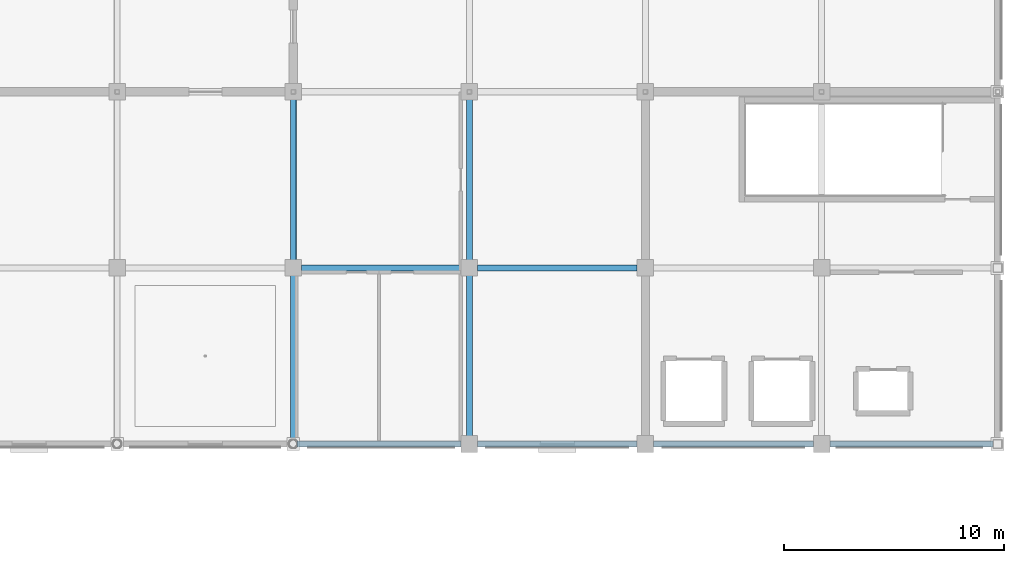
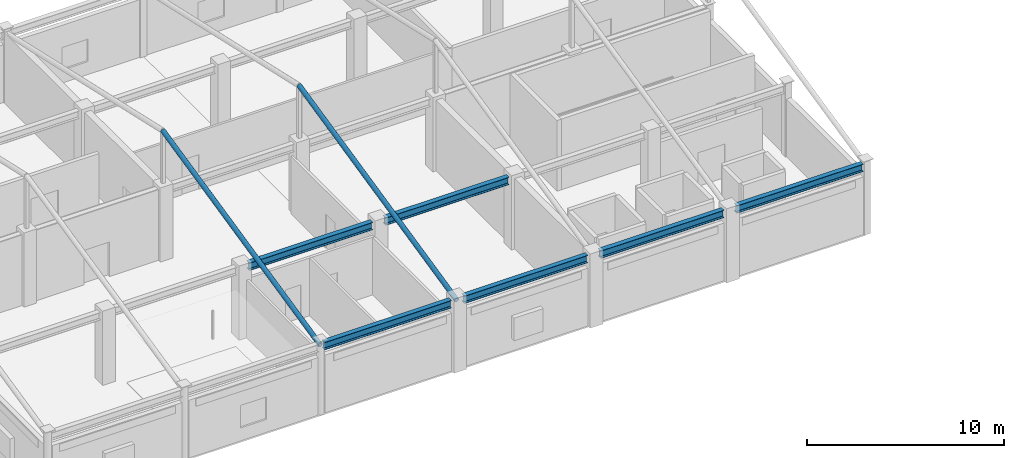
# One storey, part 6 of 16: 6 beams, 2 members.
"""IFC4 building model written with IfcOpenShell, lengths in metres."""

from ifc_helpers import new_model, si_unit, direction, frame, origin, origin_2d, place, context, subcontext, project, spatial, hollow_circle, i_section, extrude, material, material_profile, profile_set, type_object, element, save


model = new_model("IFC4")

# Units and contexts
model_context = context("Model", 3, precision=1e-05, world=origin(), true_north=direction((0.0, 1.0)))
body_context = subcontext(model_context, "Body", "Model", "MODEL_VIEW")
ifc_project = project(units=[si_unit("LENGTHUNIT", "METRE"), si_unit("AREAUNIT", "SQUARE_METRE"), si_unit("VOLUMEUNIT", "CUBIC_METRE"), si_unit("PLANEANGLEUNIT", "RADIAN"), si_unit("MASSUNIT", "GRAM", prefix="KILO")], contexts=[model_context])

# Site, building, storey
site_placement = place(None, origin())
site = spatial("IfcSite", under=ifc_project, at=site_placement, CompositionType="ELEMENT")
building_placement = place(site_placement, origin())
building = spatial("IfcBuilding", under=site, at=building_placement, Name="Solmirada Galleria", CompositionType="ELEMENT")
storey_placement = place(building_placement, frame((0.0, 0.0, 32.89990234375)))
storey = spatial("IfcBuildingStorey", under=building, at=storey_placement, Name="L07", CompositionType="ELEMENT", Elevation=32.89990234375)

# Beams
ifc_material_1 = material(Name="Steel S355 / ASTM A992 Grade 50", Category="steel")
ifc_material_profile_1 = material_profile(ifc_material_1, i_section(OverallWidth=0.281982421875, OverallDepth=0.467041015625, WebThickness=0.01220703125, FlangeThickness=0.01953125, FilletRadius=0.013916015625, at=origin_2d()), Name="W18X86")
ifc_profile_set_1 = profile_set([ifc_material_profile_1], Name="Steel S355 / ASTM A992 Grade 50")
beam_type = type_object("IfcBeamType", Name="BM-GIRD-W18A", PredefinedType="BEAM", material=ifc_profile_set_1)
beam_1_placement = place(storey_placement, frame((144.17041015625, 88.0, 4.150146484375), z_axis=(1.0, 0.0, 0.0), x_axis=(0.0, 1.0, 0.0)))
element("IfcBeam", 1, at=beam_1_placement, inside=storey, type_object=beam_type, Name="NE roof tie girder X=144..152", PredefinedType="BEAM", context=body_context, shape_type="SweptSolid", body=[
    extrude(i_section(OverallWidth=0.281982421875, OverallDepth=0.467041015625, WebThickness=0.01220703125, FlangeThickness=0.01953125, FilletRadius=0.013916015625, at=origin_2d()), origin(), (0.0, 0.0, 1.0), 7.45458984375),
])
for number, where, z_axis, x_axis, name in (
    (2, (144.375, 96.0, 4.150146484375), (1.0, 0.0, 0.0), (0.0, 1.0, 0.0), "NE roof tie girder X=144..152"),
    (3, (152.375, 88.0, 4.150146484375), (1.0, 0.0, 0.0), (0.0, 1.0, 0.0), "NE roof tie girder X=152..160"),
    (4, (152.375, 96.0, 4.150146484375), (1.0, 0.0, 0.0), (0.0, 1.0, 0.0), "NE roof tie girder X=152..160"),
    (5, (160.375, 88.0, 4.150146484375), (1.0, 0.0, 0.0), (0.0, 1.0, 0.0), "NE roof tie girder X=160..168"),
):
    element("IfcBeam", number, at=place(storey_placement, frame(where, z_axis=z_axis, x_axis=x_axis)), inside=storey, type_object=beam_type, Name=name, PredefinedType="BEAM", context=body_context, shape_type="SweptSolid", body=[
        extrude(i_section(OverallWidth=0.281982421875, OverallDepth=0.467041015625, WebThickness=0.01220703125, FlangeThickness=0.01953125, FilletRadius=0.013916015625, at=origin_2d()), origin(), (0.0, 0.0, 1.0), 7.25),
    ])
beam_2_placement = place(storey_placement, frame((168.375, 88.0, 4.150146484375), z_axis=(1.0, 0.0, 0.0), x_axis=(0.0, 1.0, 0.0)))
element("IfcBeam", 6, at=beam_2_placement, inside=storey, type_object=beam_type, Name="NE roof tie girder X=168..176", PredefinedType="BEAM", context=body_context, shape_type="SweptSolid", body=[
    extrude(i_section(OverallWidth=0.281982421875, OverallDepth=0.467041015625, WebThickness=0.01220703125, FlangeThickness=0.01953125, FilletRadius=0.013916015625, at=origin_2d()), origin(), (0.0, 0.0, 1.0), 7.422119140625),
])

# Members
ifc_material_2 = material(Name="Steel S355 / ASTM A500 Grade C", Category="steel")
ifc_material_profile_2 = material_profile(ifc_material_2, hollow_circle(Radius=0.136474609375, WallThickness=0.0087890625, at=origin_2d()), Name="HSS10.750X0.375")
ifc_profile_set_2 = profile_set([ifc_material_profile_2], Name="Steel S355 / ASTM A500 Grade C")
member_type = type_object("IfcMemberType", Name="MEM-FH-CHORD", PredefinedType="CHORD", material=ifc_profile_set_2)
for number, where, z_axis, x_axis, name in (
    (7, (144.0, 88.0, 4.2001953125), (0.0, 0.97561166892, 0.219503693515), (-1.0, 0.0, 0.0), "NE pediment south rafter X=144"),
    (8, (152.0, 88.0, 4.2001953125), (0.0, 0.97561166892, 0.219503693515), (-1.0, 0.0, 0.0), "NE pediment south rafter X=152"),
):
    element("IfcMember", number, at=place(storey_placement, frame(where, z_axis=z_axis, x_axis=x_axis)), inside=storey, type_object=member_type, Name=name, PredefinedType="CHORD", context=body_context, shape_type="SweptSolid", body=[
        extrude(hollow_circle(Radius=0.136474609375, WallThickness=0.0087890625, at=origin_2d()), origin(), (0.0, 0.0, 1.0), 16.39990234375),
    ])

save(model, "model.ifc")
